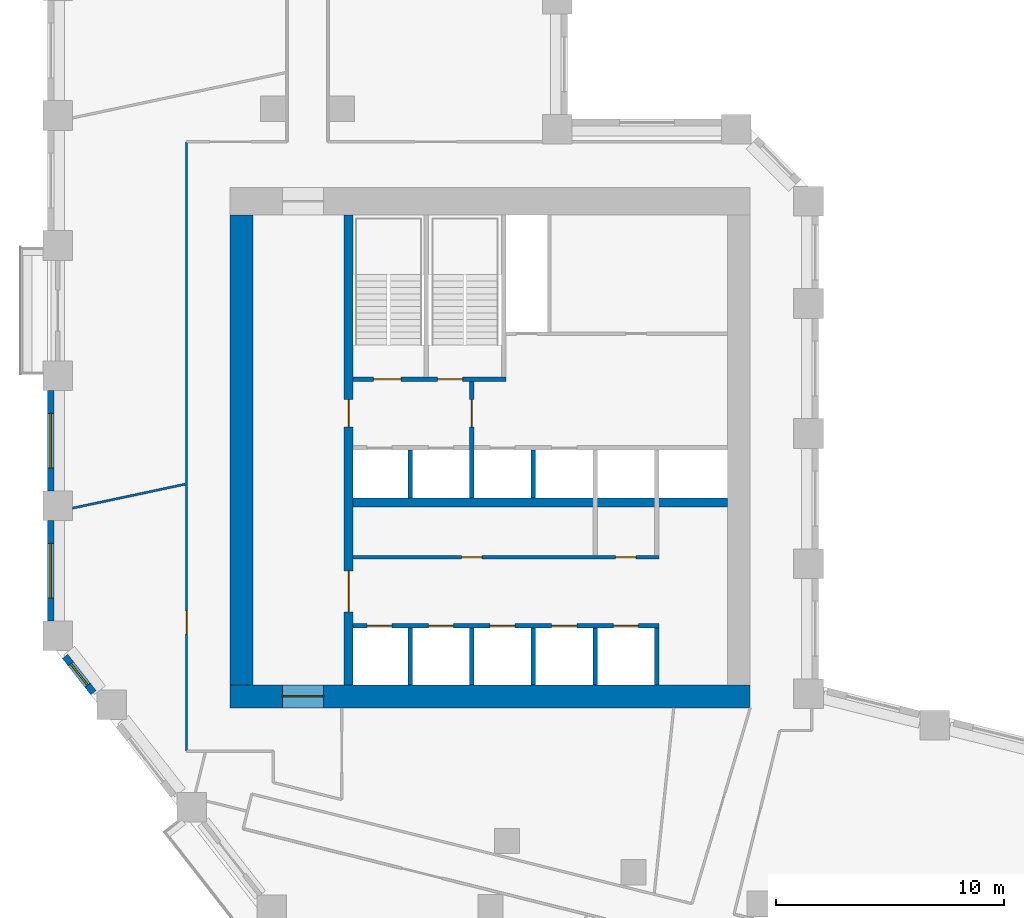
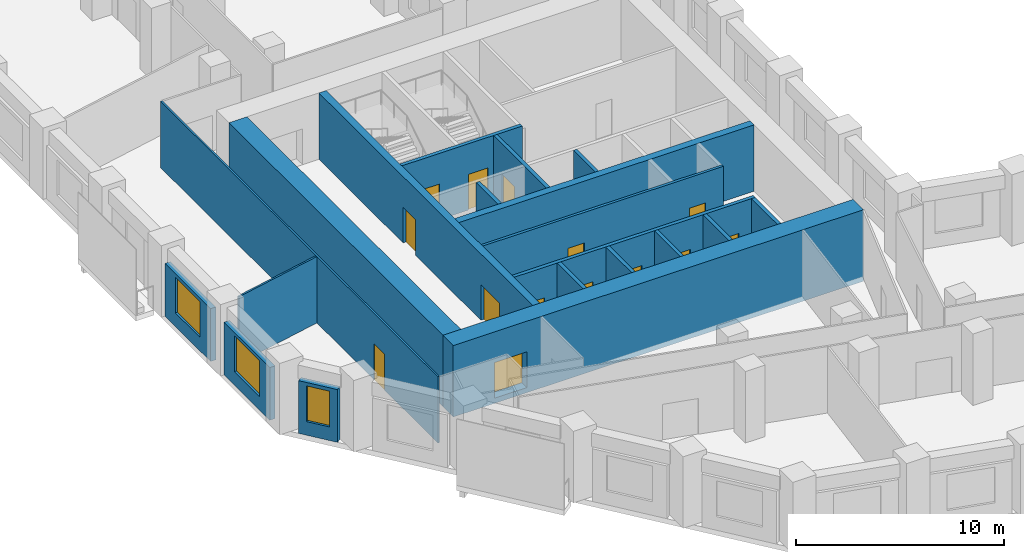
# One storey, part 4 of 11: 20 walls, 14 doors, 3 windows, 17 openings.
"""IFC4 building model written with IfcOpenShell, lengths in metres."""

from ifc_helpers import new_model, si_unit, direction, frame, frame_2d, origin, place, context, subcontext, project, spatial, rectangle, extrude, material, layer, layer_set, type_object, element, fill, save


model = new_model("IFC4")

# Units and contexts
model_context = context("Model", 3, precision=1e-05, world=origin(), true_north=direction((0.0, 1.0)))
body_context = subcontext(model_context, "Body", "Model", "MODEL_VIEW")
ifc_project = project(units=[si_unit("LENGTHUNIT", "METRE"), si_unit("AREAUNIT", "SQUARE_METRE"), si_unit("VOLUMEUNIT", "CUBIC_METRE"), si_unit("PLANEANGLEUNIT", "RADIAN"), si_unit("MASSUNIT", "GRAM", prefix="KILO")], contexts=[model_context])

# Site, building, storey
site_placement = place(None, origin())
site = spatial("IfcSite", under=ifc_project, at=site_placement, CompositionType="ELEMENT")
building_placement = place(site_placement, origin())
building = spatial("IfcBuilding", under=site, at=building_placement, Name="Meshkara Civic Tower", CompositionType="ELEMENT")
storey_placement = place(building_placement, frame((0.0, 0.0, 135.0)))
storey = spatial("IfcBuildingStorey", under=building, at=storey_placement, Name="L30", CompositionType="ELEMENT", Elevation=135.0)

# Wall, openings, doors
ifc_material_1 = material(Name="Blockwork", Category="masonry")
ifc_layer_1 = layer(ifc_material_1, 0.14990234375)
ifc_layer_set_1 = layer_set([ifc_layer_1], Name="Core partition 150")
wall_type_1 = type_object("IfcWallType", Name="Core partition 150", PredefinedType="PARTITIONING", material=ifc_layer_set_1)
wall_1_placement = place(storey_placement, frame((13.39990234375, 20.699951171875, 0.0), z_axis=(0.0, 0.0, 1.0), x_axis=(1.0, 0.0, 0.0)))
wall_1 = element("IfcWall", 1, at=wall_1_placement, inside=storey, type_object=wall_type_1, Name="L30-C006", PredefinedType="PARTITIONING", context=body_context, shape_type="SweptSolid", body=[
    extrude(rectangle(XDim=13.400146484375, YDim=0.14990234375, at=frame_2d((6.7001953125, 0.0))), origin(), (0.0, 0.0, 1.0), 3.89990234375),
])
opening_1_placement = place(wall_1_placement, frame((4.75, 0.0, 0.0)))
opening_1 = element("IfcOpeningElement", 2, at=opening_1_placement, cuts=wall_1, Name="Opening L30-K010", PredefinedType="OPENING", context=body_context, shape_type="SweptSolid", body=[
    extrude(rectangle(XDim=0.89990234375, YDim=2.10009765625, at=frame_2d((0.449951171875, 1.050048828125))), frame((0.0, 0.0849609375, 0.0), z_axis=(0.0, -1.0, 0.0), x_axis=(1.0, 0.0, 0.0)), (0.0, 0.0, 1.0), 0.169921875),
])
opening_2_placement = place(wall_1_placement, frame((11.5, 0.0, 0.0)))
opening_2 = element("IfcOpeningElement", 3, at=opening_2_placement, cuts=wall_1, Name="Opening L30-K011", PredefinedType="OPENING", context=body_context, shape_type="SweptSolid", body=[
    extrude(rectangle(XDim=0.89990234375, YDim=2.10009765625, at=frame_2d((0.449951171875, 1.050048828125))), frame((0.0, 0.0849609375, 0.0), z_axis=(0.0, -1.0, 0.0), x_axis=(1.0, 0.0, 0.0)), (0.0, 0.0, 1.0), 0.169921875),
])
ifc_material_2 = material(Name="Timber door leaf in steel frame", Category="steel")
door_type_1 = type_object("IfcDoorType", Name="Core room door 900", OperationType="SINGLE_SWING_LEFT", PredefinedType="DOOR", material=ifc_material_2)
door_1_placement = place(opening_1_placement, origin())
door_1 = element("IfcDoor", 4, at=door_1_placement, inside=storey, type_object=door_type_1, Name="L30-K010", OperationType="SINGLE_SWING_RIGHT", OverallHeight=2.10009765625, OverallWidth=0.89990234375, PredefinedType="DOOR", context=body_context, shape_type="SweptSolid", body=[
    extrude(rectangle(XDim=0.89990234375, YDim=2.10009765625, at=frame_2d((0.449951171875, 1.050048828125))), frame((0.0, 0.02490234375, 0.0), z_axis=(0.0, -1.0, 0.0), x_axis=(1.0, 0.0, 0.0)), (0.0, 0.0, 1.0), 0.050048828125),
])
fill(opening_1, door_1)
door_2_placement = place(opening_2_placement, origin())
door_2 = element("IfcDoor", 5, at=door_2_placement, inside=storey, type_object=door_type_1, Name="L30-K011", OperationType="SINGLE_SWING_RIGHT", OverallHeight=2.10009765625, OverallWidth=0.89990234375, PredefinedType="DOOR", context=body_context, shape_type="SweptSolid", body=[
    extrude(rectangle(XDim=0.89990234375, YDim=2.10009765625, at=frame_2d((0.449951171875, 1.050048828125))), frame((0.0, 0.02490234375, 0.0), z_axis=(0.0, -1.0, 0.0), x_axis=(1.0, 0.0, 0.0)), (0.0, 0.0, 1.0), 0.050048828125),
])
fill(opening_2, door_2)

# Wall, opening, door
ifc_material_3 = material(Name="Concrete C70", Category="concrete")
ifc_layer_2 = layer(ifc_material_3, 1.0)
ifc_layer_set_2 = layer_set([ifc_layer_2], Name="Core ring wall 1000 C70")
wall_type_2 = type_object("IfcWallType", Name="Core ring wall 1000 C70", PredefinedType="SHEAR", material=ifc_layer_set_2)
wall_2_placement = place(storey_placement, frame((8.0, 14.60009765625, -0.300048828125), z_axis=(0.0, 0.0, 1.0), x_axis=(1.0, 0.0, 0.0)))
wall_2 = element("IfcWall", 6, at=wall_2_placement, inside=storey, type_object=wall_type_2, Name="L30-C001", PredefinedType="SHEAR", context=body_context, shape_type="SweptSolid", body=[
    extrude(rectangle(XDim=22.800048828125, YDim=1.0, at=frame_2d((11.39990234375, 0.0))), origin(), (0.0, 0.0, 1.0), 4.199951171875),
])
opening_3_placement = place(wall_2_placement, frame((2.300048828125, 0.0, 0.300048828125)))
opening_3 = element("IfcOpeningElement", 7, at=opening_3_placement, cuts=wall_2, Name="Opening L30-K020", PredefinedType="OPENING", context=body_context, shape_type="SweptSolid", body=[
    extrude(rectangle(XDim=1.800048828125, YDim=2.10009765625, at=frame_2d((0.89990234375, 1.050048828125))), frame((0.0, 0.510009765625, 0.0), z_axis=(0.0, -1.0, 0.0), x_axis=(1.0, 0.0, 0.0)), (0.0, 0.0, 1.0), 1.02001953125),
])
ifc_material_4 = material(Name="Fire-rated door leaf in steel frame", Category="steel")
door_type_2 = type_object("IfcDoorType", Name="Core double door 1800 EI 60", OperationType="DOUBLE_DOOR_SINGLE_SWING", PredefinedType="DOOR", material=ifc_material_4)
door_3_placement = place(opening_3_placement, origin())
door_3 = element("IfcDoor", 8, at=door_3_placement, inside=storey, type_object=door_type_2, Name="L30-K020", OperationType="DOUBLE_DOOR_SINGLE_SWING", OverallHeight=2.10009765625, OverallWidth=1.800048828125, PredefinedType="DOOR", context=body_context, shape_type="SweptSolid", body=[
    extrude(rectangle(XDim=1.800048828125, YDim=2.10009765625, at=frame_2d((0.89990234375, 1.050048828125))), frame((0.0, 0.02490234375, 0.0), z_axis=(0.0, -1.0, 0.0), x_axis=(1.0, 0.0, 0.0)), (0.0, 0.0, 1.0), 0.050048828125),
])
fill(opening_3, door_3)

# Walls
wall_3_placement = place(storey_placement, frame((8.5, 15.10009765625, -0.300048828125), z_axis=(0.0, 0.0, 1.0), x_axis=(0.0, 1.0, 0.0)))
element("IfcWall", 9, at=wall_3_placement, inside=storey, type_object=wall_type_2, Name="L30-C003", PredefinedType="SHEAR", context=body_context, shape_type="SweptSolid", body=[
    extrude(rectangle(XDim=20.599853515625, YDim=1.0, at=frame_2d((10.2998046875, 0.0))), origin(), (0.0, 0.0, 1.0), 4.199951171875),
])
ifc_material_5 = material(Name="Concrete C70", Category="concrete")
ifc_layer_3 = layer(ifc_material_5, 0.39990234375)
ifc_layer_set_3 = layer_set([ifc_layer_3], Name="Core shear wall 400 C70")
wall_type_3 = type_object("IfcWallType", Name="Core shear wall 400 C70", PredefinedType="SHEAR", material=ifc_layer_set_3)
wall_4_placement = place(storey_placement, frame((13.39990234375, 23.10009765625, 0.0), z_axis=(0.0, 0.0, 1.0), x_axis=(1.0, 0.0, 0.0)))
element("IfcWall", 10, at=wall_4_placement, inside=storey, type_object=wall_type_3, Name="L30-C007", PredefinedType="SHEAR", context=body_context, shape_type="SweptSolid", body=[
    extrude(rectangle(XDim=16.400146484375, YDim=0.39990234375, at=frame_2d((8.2001953125, 0.0))), origin(), (0.0, 0.0, 1.0), 3.89990234375),
])

# Wall, openings, doors
wall_5_placement = place(storey_placement, frame((13.199951171875, 15.10009765625, 0.0), z_axis=(0.0, 0.0, 1.0), x_axis=(0.0, 1.0, 0.0)))
wall_5 = element("IfcWall", 11, at=wall_5_placement, inside=storey, type_object=wall_type_3, Name="L30-C011", PredefinedType="SHEAR", context=body_context, shape_type="SweptSolid", body=[
    extrude(rectangle(XDim=20.599853515625, YDim=0.39990234375, at=frame_2d((10.2998046875, 0.0))), origin(), (0.0, 0.0, 1.0), 3.89990234375),
])
opening_4_placement = place(wall_5_placement, frame((3.199951171875, 0.0, 0.0)))
opening_4 = element("IfcOpeningElement", 12, at=opening_4_placement, cuts=wall_5, Name="Opening L30-K016", PredefinedType="OPENING", context=body_context, shape_type="SweptSolid", body=[
    extrude(rectangle(XDim=1.800048828125, YDim=2.10009765625, at=frame_2d((0.89990234375, 1.050048828125))), frame((0.0, 0.2099609375, 0.0), z_axis=(0.0, -1.0, 0.0), x_axis=(1.0, 0.0, 0.0)), (0.0, 0.0, 1.0), 0.419921875),
])
opening_5_placement = place(wall_5_placement, frame((11.300048828125, 0.0, 0.0)))
opening_5 = element("IfcOpeningElement", 13, at=opening_5_placement, cuts=wall_5, Name="Opening L30-K017", PredefinedType="OPENING", context=body_context, shape_type="SweptSolid", body=[
    extrude(rectangle(XDim=1.199951171875, YDim=2.10009765625, at=frame_2d((0.60009765625, 1.050048828125))), frame((0.0, 0.2099609375, 0.0), z_axis=(0.0, -1.0, 0.0), x_axis=(1.0, 0.0, 0.0)), (0.0, 0.0, 1.0), 0.419921875),
])
door_4_placement = place(opening_4_placement, origin())
door_4 = element("IfcDoor", 14, at=door_4_placement, inside=storey, type_object=door_type_2, Name="L30-K016", OperationType="DOUBLE_DOOR_SINGLE_SWING", OverallHeight=2.10009765625, OverallWidth=1.800048828125, PredefinedType="DOOR", context=body_context, shape_type="SweptSolid", body=[
    extrude(rectangle(XDim=1.800048828125, YDim=2.10009765625, at=frame_2d((0.89990234375, 1.050048828125))), frame((0.0, 0.02490234375, 0.0), z_axis=(0.0, -1.0, 0.0), x_axis=(1.0, 0.0, 0.0)), (0.0, 0.0, 1.0), 0.050048828125),
])
fill(opening_4, door_4)
ifc_material_6 = material(Name="Fire-rated door leaf in steel frame", Category="steel")
door_type_3 = type_object("IfcDoorType", Name="Fire-fighting lobby door 1200 EI 120", OperationType="SINGLE_SWING_LEFT", PredefinedType="DOOR", material=ifc_material_6)
door_5_placement = place(opening_5_placement, origin())
door_5 = element("IfcDoor", 15, at=door_5_placement, inside=storey, type_object=door_type_3, Name="L30-K017", OperationType="SINGLE_SWING_LEFT", OverallHeight=2.10009765625, OverallWidth=1.199951171875, PredefinedType="DOOR", context=body_context, shape_type="SweptSolid", body=[
    extrude(rectangle(XDim=1.199951171875, YDim=2.10009765625, at=frame_2d((0.60009765625, 1.050048828125))), frame((0.0, 0.02490234375, 0.0), z_axis=(0.0, -1.0, 0.0), x_axis=(1.0, 0.0, 0.0)), (0.0, 0.0, 1.0), 0.050048828125),
])
fill(opening_5, door_5)

# Wall, opening, door
ifc_material_7 = material(Name="Corridor wall 100")
ifc_layer_4 = layer(ifc_material_7, 0.10009765625)
ifc_layer_set_4 = layer_set([ifc_layer_4], Name="Corridor wall 100")
wall_type_4 = type_object("IfcWallType", Name="Corridor wall 100", PredefinedType="PARTITIONING", material=ifc_layer_set_4)
wall_6_placement = place(storey_placement, frame((6.10009765625, 38.89990234375, 0.0), z_axis=(0.0, 0.0, 1.0), x_axis=(0.0, -1.0, 0.0)))
wall_6 = element("IfcWall", 16, at=wall_6_placement, inside=storey, type_object=wall_type_4, Name="L30-W005", PredefinedType="PARTITIONING", context=body_context, shape_type="SweptSolid", body=[
    extrude(rectangle(XDim=26.699951171875, YDim=0.10009765625, at=frame_2d((13.35009765625, 0.0))), origin(), (0.0, 0.0, 1.0), 3.89990234375),
])
opening_6_placement = place(wall_6_placement, frame((20.569091796875, 0.0, 0.0)))
opening_6 = element("IfcOpeningElement", 17, at=opening_6_placement, cuts=wall_6, Name="Opening L30-D014", PredefinedType="OPENING", context=body_context, shape_type="SweptSolid", body=[
    extrude(rectangle(XDim=1.0, YDim=2.10009765625, at=frame_2d((0.5, 1.050048828125))), frame((0.0, 0.06005859375, 0.0), z_axis=(0.0, -1.0, 0.0), x_axis=(1.0, 0.0, 0.0)), (0.0, 0.0, 1.0), 0.1201171875),
])
ifc_material_8 = material(Name="Door 1000 x 2100")
door_type_4 = type_object("IfcDoorType", Name="Door 1000 x 2100", OperationType="SINGLE_SWING_LEFT", PredefinedType="DOOR", material=ifc_material_8)
door_6_placement = place(opening_6_placement, origin())
door_6 = element("IfcDoor", 18, at=door_6_placement, inside=storey, type_object=door_type_4, Name="L30-D014", OperationType="SINGLE_SWING_LEFT", OverallHeight=2.10009765625, OverallWidth=1.0, PredefinedType="DOOR", context=body_context, shape_type="SweptSolid", body=[
    extrude(rectangle(XDim=1.0, YDim=2.10009765625, at=frame_2d((0.5, 1.050048828125))), frame((0.0, 0.02490234375, 0.0), z_axis=(0.0, -1.0, 0.0), x_axis=(1.0, 0.0, 0.0)), (0.0, 0.0, 1.0), 0.050048828125),
])
fill(opening_6, door_6)

# Wall, opening, window
ifc_material_9 = material(Name="Insulated infill panel with bronze anodised aluminium cladding", Category="aluminium")
ifc_layer_5 = layer(ifc_material_9, 0.300048828125)
ifc_layer_set_5 = layer_set([ifc_layer_5], Name="EXTERNAL INFILL WALL 300")
wall_type_5 = type_object("IfcWallType", Name="EXTERNAL INFILL WALL 300", PredefinedType="SOLIDWALL", material=ifc_layer_set_5)
wall_7_placement = place(storey_placement, frame((0.14990234375, 28.0048828125, 0.0), z_axis=(0.0, 0.0, 1.0), x_axis=(0.0, -1.0, 0.0)))
wall_7 = element("IfcWall", 19, at=wall_7_placement, inside=storey, type_object=wall_type_5, Name="External wall", PredefinedType="SOLIDWALL", context=body_context, shape_type="SweptSolid", body=[
    extrude(rectangle(XDim=4.39990234375, YDim=0.300048828125, at=frame_2d((2.199951171875, 0.0))), origin(), (0.0, 0.0, 1.0), 3.10009765625),
])
opening_7_placement = place(wall_7_placement, frame((1.0, 0.0, 0.800048828125)))
opening_7 = element("IfcOpeningElement", 20, at=opening_7_placement, cuts=wall_7, Name="Opening W7", PredefinedType="OPENING", context=body_context, shape_type="SweptSolid", body=[
    extrude(rectangle(XDim=2.39990234375, YDim=2.10009765625, at=frame_2d((1.199951171875, 1.050048828125))), frame((0.0, 0.159912109375, 0.0), z_axis=(0.0, -1.0, 0.0), x_axis=(1.0, 0.0, 0.0)), (0.0, 0.0, 1.0), 0.320068359375),
])
ifc_material_10 = material(Name="Tinted double glazing", Category="glass")
window_type_1 = type_object("IfcWindowType", Name="WINDOW 2400x2100", PartitioningType="DOUBLE_PANEL_VERTICAL", PredefinedType="WINDOW", material=ifc_material_10)
window_1_placement = place(opening_7_placement, origin())
window_1 = element("IfcWindow", 21, at=window_1_placement, inside=storey, type_object=window_type_1, Name="Window", OverallHeight=2.10009765625, OverallWidth=2.39990234375, PartitioningType="DOUBLE_PANEL_VERTICAL", PredefinedType="WINDOW", context=body_context, shape_type="SweptSolid", body=[
    extrude(rectangle(XDim=2.39990234375, YDim=2.10009765625, at=frame_2d((1.199951171875, 1.050048828125))), frame((0.0, 0.030029296875, 0.0), z_axis=(0.0, -1.0, 0.0), x_axis=(1.0, 0.0, 0.0)), (0.0, 0.0, 1.0), 0.06005859375),
])
fill(opening_7, window_1)

wall_8_placement = place(storey_placement, frame((0.14990234375, 22.304931640625, 0.0), z_axis=(0.0, 0.0, 1.0), x_axis=(0.0, -1.0, 0.0)))
wall_8 = element("IfcWall", 22, at=wall_8_placement, inside=storey, type_object=wall_type_5, Name="External wall", PredefinedType="SOLIDWALL", context=body_context, shape_type="SweptSolid", body=[
    extrude(rectangle(XDim=4.39990234375, YDim=0.300048828125, at=frame_2d((2.199951171875, 0.0))), origin(), (0.0, 0.0, 1.0), 3.10009765625),
])
opening_8_placement = place(wall_8_placement, frame((1.0, 0.0, 0.800048828125)))
opening_8 = element("IfcOpeningElement", 23, at=opening_8_placement, cuts=wall_8, Name="Opening W7", PredefinedType="OPENING", context=body_context, shape_type="SweptSolid", body=[
    extrude(rectangle(XDim=2.39990234375, YDim=2.10009765625, at=frame_2d((1.199951171875, 1.050048828125))), frame((0.0, 0.159912109375, 0.0), z_axis=(0.0, -1.0, 0.0), x_axis=(1.0, 0.0, 0.0)), (0.0, 0.0, 1.0), 0.320068359375),
])
window_2_placement = place(opening_8_placement, origin())
window_2 = element("IfcWindow", 24, at=window_2_placement, inside=storey, type_object=window_type_1, Name="Window", OverallHeight=2.10009765625, OverallWidth=2.39990234375, PartitioningType="DOUBLE_PANEL_VERTICAL", PredefinedType="WINDOW", context=body_context, shape_type="SweptSolid", body=[
    extrude(rectangle(XDim=2.39990234375, YDim=2.10009765625, at=frame_2d((1.199951171875, 1.050048828125))), frame((0.0, 0.030029296875, 0.0), z_axis=(0.0, -1.0, 0.0), x_axis=(1.0, 0.0, 0.0)), (0.0, 0.0, 1.0), 0.06005859375),
])
fill(opening_8, window_2)

wall_9_placement = place(storey_placement, frame((0.77490234375, 16.35107421875, 0.0), z_axis=(0.0, 0.0, 1.0), x_axis=(0.6157921118, -0.787908671766, 0.0)))
wall_9 = element("IfcWall", 25, at=wall_9_placement, inside=storey, type_object=wall_type_5, Name="External wall", PredefinedType="SOLIDWALL", context=body_context, shape_type="SweptSolid", body=[
    extrude(rectangle(XDim=2.015625, YDim=0.300048828125, at=frame_2d((1.0078125, 0.0))), origin(), (0.0, 0.0, 1.0), 3.10009765625),
])
opening_9_placement = place(wall_9_placement, frame((0.407958984375, 0.0, 0.800048828125)))
opening_9 = element("IfcOpeningElement", 26, at=opening_9_placement, cuts=wall_9, Name="Opening W3", PredefinedType="OPENING", context=body_context, shape_type="SweptSolid", body=[
    extrude(rectangle(XDim=1.199951171875, YDim=2.10009765625, at=frame_2d((0.60009765625, 1.050048828125))), frame((0.0, 0.159912109375, 0.0), z_axis=(0.0, -1.0, 0.0), x_axis=(1.0, 0.0, 0.0)), (0.0, 0.0, 1.0), 0.320068359375),
])
ifc_material_11 = material(Name="Tinted double glazing", Category="glass")
window_type_2 = type_object("IfcWindowType", Name="WINDOW 1200x2100", PartitioningType="SINGLE_PANEL", PredefinedType="WINDOW", material=ifc_material_11)
window_3_placement = place(opening_9_placement, origin())
window_3 = element("IfcWindow", 27, at=window_3_placement, inside=storey, type_object=window_type_2, Name="Window", OverallHeight=2.10009765625, OverallWidth=1.199951171875, PartitioningType="SINGLE_PANEL", PredefinedType="WINDOW", context=body_context, shape_type="SweptSolid", body=[
    extrude(rectangle(XDim=1.199951171875, YDim=2.10009765625, at=frame_2d((0.60009765625, 1.050048828125))), frame((0.0, 0.030029296875, 0.0), z_axis=(0.0, -1.0, 0.0), x_axis=(1.0, 0.0, 0.0)), (0.0, 0.0, 1.0), 0.06005859375),
])
fill(opening_9, window_3)

# Wall
ifc_material_12 = material(Name="Partition 100")
ifc_layer_6 = layer(ifc_material_12, 0.10009765625)
ifc_layer_set_6 = layer_set([ifc_layer_6], Name="Partition 100")
wall_type_6 = type_object("IfcWallType", Name="Partition 100", PredefinedType="PARTITIONING", material=ifc_layer_set_6)
wall_10_placement = place(storey_placement, frame((6.0400390625, 23.89794921875, 0.0), z_axis=(0.0, 0.0, 1.0), x_axis=(-0.978146317441, -0.207917728146, 0.0)))
element("IfcWall", 28, at=wall_10_placement, inside=storey, type_object=wall_type_6, Name="L30-W033", PredefinedType="PARTITIONING", context=body_context, shape_type="SweptSolid", body=[
    extrude(rectangle(XDim=5.05029296875, YDim=0.10009765625, at=frame_2d((2.525146484375, 0.0))), origin(), (0.0, 0.0, 1.0), 3.89990234375),
])

# Wall, openings, doors
ifc_material_13 = material(Name="Concrete C40/50", Category="concrete")
ifc_layer_7 = layer(ifc_material_13, 0.199951171875)
ifc_layer_set_7 = layer_set([ifc_layer_7], Name="Shaft wall 200 C40/50")
wall_type_7 = type_object("IfcWallType", Name="Shaft wall 200 C40/50", PredefinedType="SOLIDWALL", material=ifc_layer_set_7)
wall_11_placement = place(storey_placement, frame((13.39990234375, 17.699951171875, 0.0), z_axis=(0.0, 0.0, 1.0), x_axis=(1.0, 0.0, 0.0)))
wall_11 = element("IfcWall", 29, at=wall_11_placement, inside=storey, type_object=wall_type_7, Name="L30-C005", PredefinedType="SOLIDWALL", context=body_context, shape_type="SweptSolid", body=[
    extrude(rectangle(XDim=13.400146484375, YDim=0.199951171875, at=frame_2d((6.7001953125, 0.0))), origin(), (0.0, 0.0, 1.0), 3.89990234375),
])
opening_10_placement = place(wall_11_placement, frame((0.60009765625, 0.0, 0.0)))
opening_10 = element("IfcOpeningElement", 30, at=opening_10_placement, cuts=wall_11, Name="Opening L30-K001", PredefinedType="OPENING", context=body_context, shape_type="SweptSolid", body=[
    extrude(rectangle(XDim=1.10009765625, YDim=2.10009765625, at=frame_2d((0.550048828125, 1.050048828125))), frame((0.0, 0.10986328125, 0.0), z_axis=(0.0, -1.0, 0.0), x_axis=(1.0, 0.0, 0.0)), (0.0, 0.0, 1.0), 0.219970703125),
])
opening_11_placement = place(wall_11_placement, frame((3.300048828125, 0.0, 0.0)))
opening_11 = element("IfcOpeningElement", 31, at=opening_11_placement, cuts=wall_11, Name="Opening L30-K002", PredefinedType="OPENING", context=body_context, shape_type="SweptSolid", body=[
    extrude(rectangle(XDim=1.10009765625, YDim=2.10009765625, at=frame_2d((0.550048828125, 1.050048828125))), frame((0.0, 0.10986328125, 0.0), z_axis=(0.0, -1.0, 0.0), x_axis=(1.0, 0.0, 0.0)), (0.0, 0.0, 1.0), 0.219970703125),
])
opening_12_placement = place(wall_11_placement, frame((6.0, 0.0, 0.0)))
opening_12 = element("IfcOpeningElement", 32, at=opening_12_placement, cuts=wall_11, Name="Opening L30-K003", PredefinedType="OPENING", context=body_context, shape_type="SweptSolid", body=[
    extrude(rectangle(XDim=1.10009765625, YDim=2.10009765625, at=frame_2d((0.550048828125, 1.050048828125))), frame((0.0, 0.10986328125, 0.0), z_axis=(0.0, -1.0, 0.0), x_axis=(1.0, 0.0, 0.0)), (0.0, 0.0, 1.0), 0.219970703125),
])
opening_13_placement = place(wall_11_placement, frame((8.699951171875, 0.0, 0.0)))
opening_13 = element("IfcOpeningElement", 33, at=opening_13_placement, cuts=wall_11, Name="Opening L30-K004", PredefinedType="OPENING", context=body_context, shape_type="SweptSolid", body=[
    extrude(rectangle(XDim=1.10009765625, YDim=2.10009765625, at=frame_2d((0.550048828125, 1.050048828125))), frame((0.0, 0.10986328125, 0.0), z_axis=(0.0, -1.0, 0.0), x_axis=(1.0, 0.0, 0.0)), (0.0, 0.0, 1.0), 0.219970703125),
])
opening_14_placement = place(wall_11_placement, frame((11.39990234375, 0.0, 0.0)))
opening_14 = element("IfcOpeningElement", 34, at=opening_14_placement, cuts=wall_11, Name="Opening L30-K005", PredefinedType="OPENING", context=body_context, shape_type="SweptSolid", body=[
    extrude(rectangle(XDim=1.10009765625, YDim=2.10009765625, at=frame_2d((0.550048828125, 1.050048828125))), frame((0.0, 0.10986328125, 0.0), z_axis=(0.0, -1.0, 0.0), x_axis=(1.0, 0.0, 0.0)), (0.0, 0.0, 1.0), 0.219970703125),
])
ifc_material_14 = material(Name="Stainless steel landing door", Category="steel")
door_type_5 = type_object("IfcDoorType", Name="Lift landing door 1100", OperationType="SLIDING_TO_LEFT", PredefinedType="DOOR", material=ifc_material_14)
door_7_placement = place(opening_10_placement, origin())
door_7 = element("IfcDoor", 35, at=door_7_placement, inside=storey, type_object=door_type_5, Name="L30-K001", OperationType="SLIDING_TO_LEFT", OverallHeight=2.10009765625, OverallWidth=1.10009765625, PredefinedType="DOOR", context=body_context, shape_type="SweptSolid", body=[
    extrude(rectangle(XDim=1.10009765625, YDim=2.10009765625, at=frame_2d((0.550048828125, 1.050048828125))), frame((0.0, 0.02490234375, 0.0), z_axis=(0.0, -1.0, 0.0), x_axis=(1.0, 0.0, 0.0)), (0.0, 0.0, 1.0), 0.050048828125),
])
fill(opening_10, door_7)
door_8_placement = place(opening_11_placement, origin())
door_8 = element("IfcDoor", 36, at=door_8_placement, inside=storey, type_object=door_type_5, Name="L30-K002", OperationType="SLIDING_TO_LEFT", OverallHeight=2.10009765625, OverallWidth=1.10009765625, PredefinedType="DOOR", context=body_context, shape_type="SweptSolid", body=[
    extrude(rectangle(XDim=1.10009765625, YDim=2.10009765625, at=frame_2d((0.550048828125, 1.050048828125))), frame((0.0, 0.02490234375, 0.0), z_axis=(0.0, -1.0, 0.0), x_axis=(1.0, 0.0, 0.0)), (0.0, 0.0, 1.0), 0.050048828125),
])
fill(opening_11, door_8)
door_9_placement = place(opening_12_placement, origin())
door_9 = element("IfcDoor", 37, at=door_9_placement, inside=storey, type_object=door_type_5, Name="L30-K003", OperationType="SLIDING_TO_LEFT", OverallHeight=2.10009765625, OverallWidth=1.10009765625, PredefinedType="DOOR", context=body_context, shape_type="SweptSolid", body=[
    extrude(rectangle(XDim=1.10009765625, YDim=2.10009765625, at=frame_2d((0.550048828125, 1.050048828125))), frame((0.0, 0.02490234375, 0.0), z_axis=(0.0, -1.0, 0.0), x_axis=(1.0, 0.0, 0.0)), (0.0, 0.0, 1.0), 0.050048828125),
])
fill(opening_12, door_9)
door_10_placement = place(opening_13_placement, origin())
door_10 = element("IfcDoor", 38, at=door_10_placement, inside=storey, type_object=door_type_5, Name="L30-K004", OperationType="SLIDING_TO_LEFT", OverallHeight=2.10009765625, OverallWidth=1.10009765625, PredefinedType="DOOR", context=body_context, shape_type="SweptSolid", body=[
    extrude(rectangle(XDim=1.10009765625, YDim=2.10009765625, at=frame_2d((0.550048828125, 1.050048828125))), frame((0.0, 0.02490234375, 0.0), z_axis=(0.0, -1.0, 0.0), x_axis=(1.0, 0.0, 0.0)), (0.0, 0.0, 1.0), 0.050048828125),
])
fill(opening_13, door_10)
door_11_placement = place(opening_14_placement, origin())
door_11 = element("IfcDoor", 39, at=door_11_placement, inside=storey, type_object=door_type_5, Name="L30-K005", OperationType="SLIDING_TO_LEFT", OverallHeight=2.10009765625, OverallWidth=1.10009765625, PredefinedType="DOOR", context=body_context, shape_type="SweptSolid", body=[
    extrude(rectangle(XDim=1.10009765625, YDim=2.10009765625, at=frame_2d((0.550048828125, 1.050048828125))), frame((0.0, 0.02490234375, 0.0), z_axis=(0.0, -1.0, 0.0), x_axis=(1.0, 0.0, 0.0)), (0.0, 0.0, 1.0), 0.050048828125),
])
fill(opening_14, door_11)

# Walls
wall_12_placement = place(storey_placement, frame((15.89990234375, 15.10009765625, 0.0), z_axis=(0.0, 0.0, 1.0), x_axis=(0.0, 1.0, 0.0)))
element("IfcWall", 40, at=wall_12_placement, inside=storey, type_object=wall_type_7, Name="L30-C012", PredefinedType="SOLIDWALL", context=body_context, shape_type="SweptSolid", body=[
    extrude(rectangle(XDim=2.5, YDim=0.199951171875, at=frame_2d((1.25, 0.0))), origin(), (0.0, 0.0, 1.0), 3.89990234375),
])
wall_13_placement = place(storey_placement, frame((15.89990234375, 23.300048828125, 0.0), z_axis=(0.0, 0.0, 1.0), x_axis=(0.0, 1.0, 0.0)))
element("IfcWall", 41, at=wall_13_placement, inside=storey, type_object=wall_type_7, Name="L30-C013", PredefinedType="SOLIDWALL", context=body_context, shape_type="SweptSolid", body=[
    extrude(rectangle(XDim=2.099853515625, YDim=0.199951171875, at=frame_2d((1.0498046875, 0.0))), origin(), (0.0, 0.0, 1.0), 3.89990234375),
])
wall_14_placement = place(storey_placement, frame((18.60009765625, 15.10009765625, 0.0), z_axis=(0.0, 0.0, 1.0), x_axis=(0.0, 1.0, 0.0)))
element("IfcWall", 42, at=wall_14_placement, inside=storey, type_object=wall_type_7, Name="L30-C015", PredefinedType="SOLIDWALL", context=body_context, shape_type="SweptSolid", body=[
    extrude(rectangle(XDim=2.5, YDim=0.199951171875, at=frame_2d((1.25, 0.0))), origin(), (0.0, 0.0, 1.0), 3.89990234375),
])

# Wall, opening, door
wall_15_placement = place(storey_placement, frame((18.60009765625, 23.300048828125, 0.0), z_axis=(0.0, 0.0, 1.0), x_axis=(0.0, 1.0, 0.0)))
wall_15 = element("IfcWall", 43, at=wall_15_placement, inside=storey, type_object=wall_type_7, Name="L30-C016", PredefinedType="SOLIDWALL", context=body_context, shape_type="SweptSolid", body=[
    extrude(rectangle(XDim=5.099853515625, YDim=0.199951171875, at=frame_2d((2.5498046875, 0.0))), origin(), (0.0, 0.0, 1.0), 3.89990234375),
])
opening_15_placement = place(wall_15_placement, frame((3.10009765625, 0.0, 0.0)))
opening_15 = element("IfcOpeningElement", 44, at=opening_15_placement, cuts=wall_15, Name="Opening L30-K018", PredefinedType="OPENING", context=body_context, shape_type="SweptSolid", body=[
    extrude(rectangle(XDim=1.199951171875, YDim=2.10009765625, at=frame_2d((0.60009765625, 1.050048828125))), frame((0.0, 0.10986328125, 0.0), z_axis=(0.0, -1.0, 0.0), x_axis=(1.0, 0.0, 0.0)), (0.0, 0.0, 1.0), 0.219970703125),
])
door_12_placement = place(opening_15_placement, origin())
door_12 = element("IfcDoor", 45, at=door_12_placement, inside=storey, type_object=door_type_3, Name="L30-K018", OperationType="SINGLE_SWING_RIGHT", OverallHeight=2.10009765625, OverallWidth=1.199951171875, PredefinedType="DOOR", context=body_context, shape_type="SweptSolid", body=[
    extrude(rectangle(XDim=1.199951171875, YDim=2.10009765625, at=frame_2d((0.60009765625, 1.050048828125))), frame((0.0, 0.02490234375, 0.0), z_axis=(0.0, -1.0, 0.0), x_axis=(1.0, 0.0, 0.0)), (0.0, 0.0, 1.0), 0.050048828125),
])
fill(opening_15, door_12)

# Walls
wall_16_placement = place(storey_placement, frame((21.300048828125, 15.10009765625, 0.0), z_axis=(0.0, 0.0, 1.0), x_axis=(0.0, 1.0, 0.0)))
element("IfcWall", 46, at=wall_16_placement, inside=storey, type_object=wall_type_7, Name="L30-C018", PredefinedType="SOLIDWALL", context=body_context, shape_type="SweptSolid", body=[
    extrude(rectangle(XDim=2.5, YDim=0.199951171875, at=frame_2d((1.25, 0.0))), origin(), (0.0, 0.0, 1.0), 3.89990234375),
])
wall_17_placement = place(storey_placement, frame((21.300048828125, 23.300048828125, 0.0), z_axis=(0.0, 0.0, 1.0), x_axis=(0.0, 1.0, 0.0)))
element("IfcWall", 47, at=wall_17_placement, inside=storey, type_object=wall_type_7, Name="L30-C019", PredefinedType="SOLIDWALL", context=body_context, shape_type="SweptSolid", body=[
    extrude(rectangle(XDim=2.099853515625, YDim=0.199951171875, at=frame_2d((1.0498046875, 0.0))), origin(), (0.0, 0.0, 1.0), 3.89990234375),
])
for number, where, z_axis, x_axis, name in (
    (48, (24.0, 15.10009765625, 0.0), (0.0, 0.0, 1.0), (0.0, 1.0, 0.0), "L30-C021"),
    (49, (26.699951171875, 15.10009765625, 0.0), (0.0, 0.0, 1.0), (0.0, 1.0, 0.0), "L30-C023"),
):
    element("IfcWall", number, at=place(storey_placement, frame(where, z_axis=z_axis, x_axis=x_axis)), inside=storey, type_object=wall_type_7, Name=name, PredefinedType="SOLIDWALL", context=body_context, shape_type="SweptSolid", body=[
        extrude(rectangle(XDim=2.5, YDim=0.199951171875, at=frame_2d((1.25, 0.0))), origin(), (0.0, 0.0, 1.0), 3.89990234375),
    ])

# Wall, openings, doors
ifc_material_15 = material(Name="Concrete C40/50", Category="concrete")
ifc_layer_8 = layer(ifc_material_15, 0.199951171875)
ifc_layer_set_8 = layer_set([ifc_layer_8], Name="Stair enclosure wall 200 C40/50")
wall_type_8 = type_object("IfcWallType", Name="Stair enclosure wall 200 C40/50", PredefinedType="SOLIDWALL", material=ifc_layer_set_8)
wall_18_placement = place(storey_placement, frame((13.39990234375, 28.5, 0.0), z_axis=(0.0, 0.0, 1.0), x_axis=(1.0, 0.0, 0.0)))
wall_18 = element("IfcWall", 50, at=wall_18_placement, inside=storey, type_object=wall_type_8, Name="L30-C009", PredefinedType="SOLIDWALL", context=body_context, shape_type="SweptSolid", body=[
    extrude(rectangle(XDim=6.7001953125, YDim=0.199951171875, at=frame_2d((3.35009765625, 0.0))), origin(), (0.0, 0.0, 1.0), 3.89990234375),
])
opening_16_placement = place(wall_18_placement, frame((0.89990234375, 0.0, 0.0)))
opening_16 = element("IfcOpeningElement", 51, at=opening_16_placement, cuts=wall_18, Name="Opening L30-K014", PredefinedType="OPENING", context=body_context, shape_type="SweptSolid", body=[
    extrude(rectangle(XDim=1.199951171875, YDim=2.10009765625, at=frame_2d((0.60009765625, 1.050048828125))), frame((0.0, 0.10986328125, 0.0), z_axis=(0.0, -1.0, 0.0), x_axis=(1.0, 0.0, 0.0)), (0.0, 0.0, 1.0), 0.219970703125),
])
opening_17_placement = place(wall_18_placement, frame((3.699951171875, 0.0, 0.0)))
opening_17 = element("IfcOpeningElement", 52, at=opening_17_placement, cuts=wall_18, Name="Opening L30-K015", PredefinedType="OPENING", context=body_context, shape_type="SweptSolid", body=[
    extrude(rectangle(XDim=1.10009765625, YDim=2.10009765625, at=frame_2d((0.550048828125, 1.050048828125))), frame((0.0, 0.10986328125, 0.0), z_axis=(0.0, -1.0, 0.0), x_axis=(1.0, 0.0, 0.0)), (0.0, 0.0, 1.0), 0.219970703125),
])
ifc_material_16 = material(Name="Fire-rated door leaf in steel frame", Category="steel")
door_type_6 = type_object("IfcDoorType", Name="Stair door 1100 EI 120", OperationType="SINGLE_SWING_LEFT", PredefinedType="DOOR", material=ifc_material_16)
door_13_placement = place(opening_17_placement, origin())
door_13 = element("IfcDoor", 53, at=door_13_placement, inside=storey, type_object=door_type_6, Name="L30-K015", OperationType="SINGLE_SWING_LEFT", OverallHeight=2.10009765625, OverallWidth=1.10009765625, PredefinedType="DOOR", context=body_context, shape_type="SweptSolid", body=[
    extrude(rectangle(XDim=1.10009765625, YDim=2.10009765625, at=frame_2d((0.550048828125, 1.050048828125))), frame((0.0, 0.02490234375, 0.0), z_axis=(0.0, -1.0, 0.0), x_axis=(1.0, 0.0, 0.0)), (0.0, 0.0, 1.0), 0.050048828125),
])
fill(opening_17, door_13)
ifc_material_17 = material(Name="Fire-rated door leaf in steel frame", Category="steel")
door_type_7 = type_object("IfcDoorType", Name="Stair door 1200 EI 120", OperationType="SINGLE_SWING_LEFT", PredefinedType="DOOR", material=ifc_material_17)
door_14_placement = place(opening_16_placement, origin())
door_14 = element("IfcDoor", 54, at=door_14_placement, inside=storey, type_object=door_type_7, Name="L30-K014", OperationType="SINGLE_SWING_RIGHT", OverallHeight=2.10009765625, OverallWidth=1.199951171875, PredefinedType="DOOR", context=body_context, shape_type="SweptSolid", body=[
    extrude(rectangle(XDim=1.199951171875, YDim=2.10009765625, at=frame_2d((0.60009765625, 1.050048828125))), frame((0.0, 0.02490234375, 0.0), z_axis=(0.0, -1.0, 0.0), x_axis=(1.0, 0.0, 0.0)), (0.0, 0.0, 1.0), 0.050048828125),
])
fill(opening_16, door_14)

save(model, "model.ifc")
